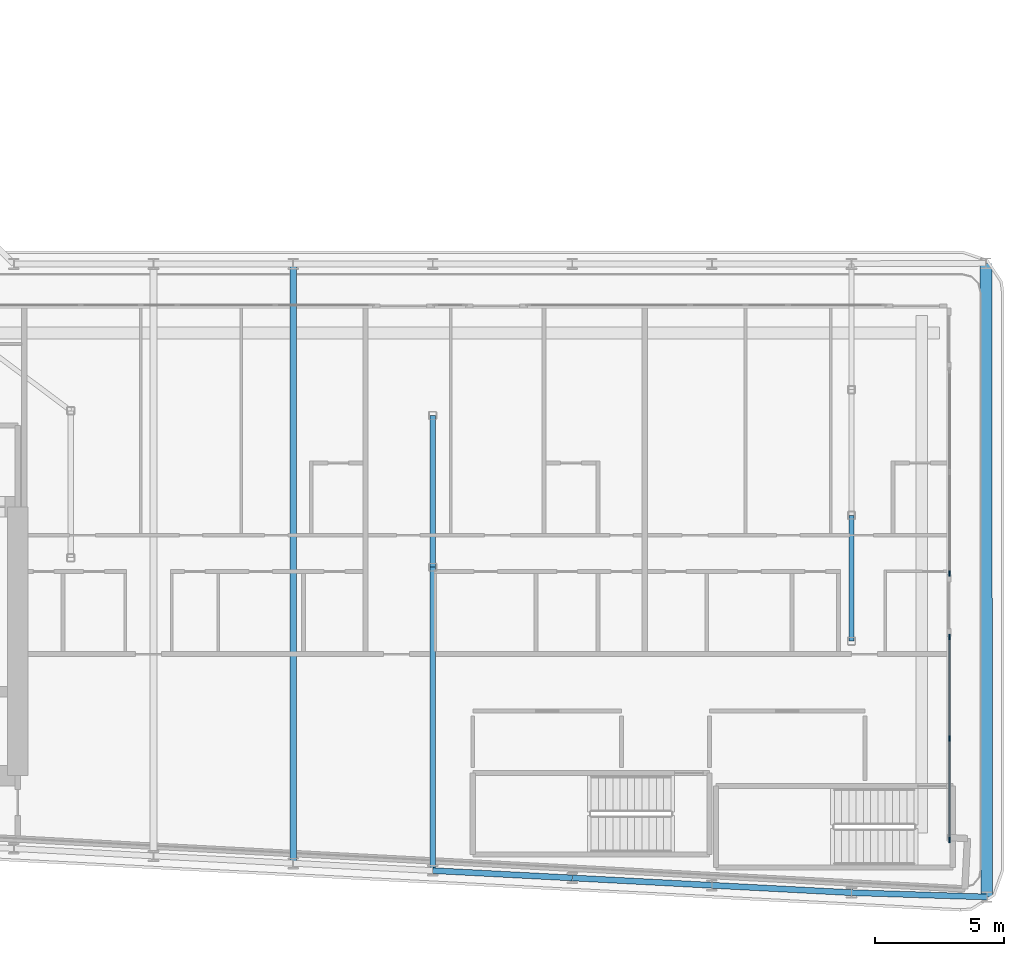
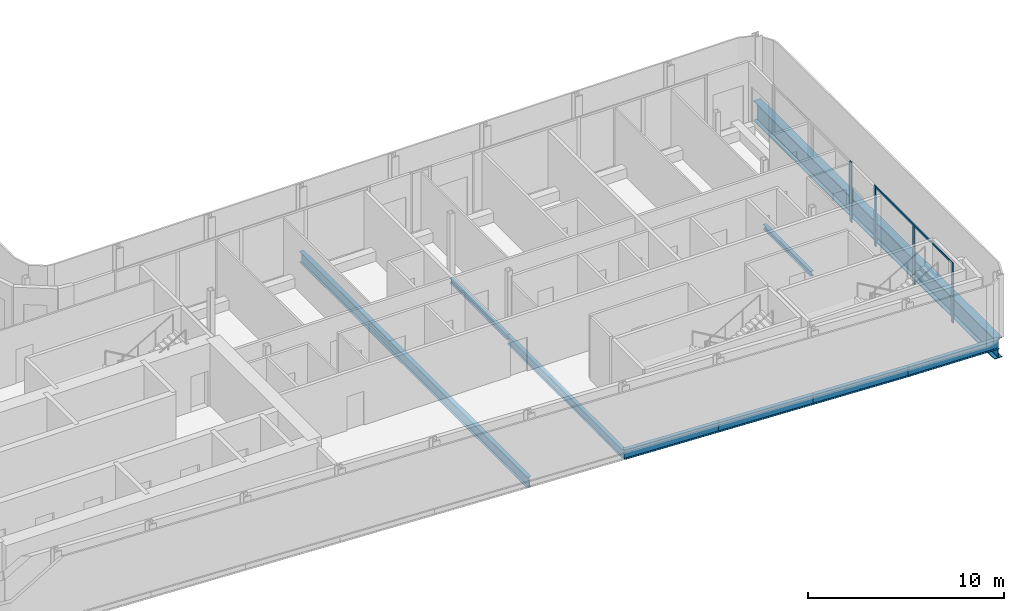
# One storey, part 5 of 24: 9 beams, 5 members, 2 elements without a shape of their own.
"""IFC4 building model written with IfcOpenShell, lengths in metres."""

from ifc_helpers import new_model, si_unit, direction, frame, origin, origin_2d, place, context, subcontext, project, spatial, rectangle, i_section, extrude, material, layer, layer_set, material_profile, profile_set, type_object, element, aggregate, save


model = new_model("IFC4")

# Units and contexts
model_context = context("Model", 3, precision=1e-05, world=origin(), true_north=direction((0.0, 1.0)))
body_context = subcontext(model_context, "Body", "Model", "MODEL_VIEW")
ifc_project = project(units=[si_unit("LENGTHUNIT", "METRE"), si_unit("AREAUNIT", "SQUARE_METRE"), si_unit("VOLUMEUNIT", "CUBIC_METRE"), si_unit("PLANEANGLEUNIT", "RADIAN"), si_unit("MASSUNIT", "GRAM", prefix="KILO")], contexts=[model_context])

# Site, building, storey
site_placement = place(None, origin())
site = spatial("IfcSite", under=ifc_project, at=site_placement, CompositionType="ELEMENT")
building_placement = place(site_placement, origin())
building = spatial("IfcBuilding", under=site, at=building_placement, Name="Kheshtan School and Residences Tower", CompositionType="ELEMENT")
storey_placement = place(building_placement, frame((0.0, 0.0, 160.39990234375)))
storey = spatial("IfcBuildingStorey", under=building, at=storey_placement, Name="L37", CompositionType="ELEMENT", Elevation=160.39990234375)

# Beams
ifc_material_1 = material(Name="Steel ASTM A992 Grade 50", Category="steel")
ifc_material_profile_1 = material_profile(ifc_material_1, i_section(OverallWidth=0.202880859375, OverallDepth=0.302978515625, WebThickness=0.007568359375, FlangeThickness=0.01318359375, FilletRadius=0.009033203125, at=origin_2d()), Name="W310x60")
ifc_profile_set_1 = profile_set([ifc_material_profile_1], Name="Steel ASTM A992 Grade 50")
beam_type_1 = type_object("IfcBeamType", Name="Beam FB1 W310x60 ASTM A992 Grade 50", PredefinedType="BEAM", material=ifc_profile_set_1)
beam_1_placement = place(storey_placement, frame((85.39990234375, 31.0048828125, -0.301513671875), z_axis=(0.0, 1.0, 0.0), x_axis=(-1.0, 0.0, 0.0)))
element("IfcBeam", 1, at=beam_1_placement, inside=storey, type_object=beam_type_1, Name="Floor beam IC", PredefinedType="BEAM", context=body_context, shape_type="SweptSolid", body=[
    extrude(i_section(OverallWidth=0.202880859375, OverallDepth=0.302978515625, WebThickness=0.007568359375, FlangeThickness=0.01318359375, FilletRadius=0.009033203125, at=origin_2d()), origin(), (0.0, 0.0, 1.0), 4.865234375),
])
beam_2_placement = place(storey_placement, frame((69.199951171875, 33.863037109375, -0.301513671875), z_axis=(0.0, 1.0, 0.0), x_axis=(-1.0, 0.0, 0.0)))
element("IfcBeam", 2, at=beam_2_placement, inside=storey, type_object=beam_type_1, Name="Floor beam IC", PredefinedType="BEAM", context=body_context, shape_type="SweptSolid", body=[
    extrude(i_section(OverallWidth=0.202880859375, OverallDepth=0.302978515625, WebThickness=0.007568359375, FlangeThickness=0.01318359375, FilletRadius=0.009033203125, at=origin_2d()), origin(), (0.0, 0.0, 1.0), 5.868896484375),
])
ifc_material_profile_2 = material_profile(ifc_material_1, i_section(OverallWidth=0.208984375, OverallDepth=0.532958984375, WebThickness=0.01025390625, FlangeThickness=0.015625, FilletRadius=0.013916015625, at=origin_2d()), Name="W530x92")
ifc_profile_set_2 = profile_set([ifc_material_profile_2], Name="Steel ASTM A992 Grade 50")
beam_type_2 = type_object("IfcBeamType", Name="Beam FB4 W530x92 ASTM A992 Grade 50", PredefinedType="BEAM", material=ifc_profile_set_2)
beam_3_placement = place(storey_placement, frame((69.199951171875, 22.126953125, -0.41650390625), z_axis=(0.0, 1.0, 0.0), x_axis=(-1.0, 0.0, 0.0)))
element("IfcBeam", 3, at=beam_3_placement, inside=storey, type_object=beam_type_2, Name="Floor beam C014", PredefinedType="BEAM", context=body_context, shape_type="SweptSolid", body=[
    extrude(i_section(OverallWidth=0.208984375, OverallDepth=0.532958984375, WebThickness=0.01025390625, FlangeThickness=0.015625, FilletRadius=0.013916015625, at=origin_2d()), origin(), (0.0, 0.0, 1.0), 11.736083984375),
])
ifc_material_profile_3 = material_profile(ifc_material_1, i_section(OverallWidth=0.2529296875, OverallDepth=0.677978515625, WebThickness=0.01171875, FlangeThickness=0.016357421875, FilletRadius=0.0146484375, at=origin_2d()), Name="W690x125")
ifc_profile_set_3 = profile_set([ifc_material_profile_3], Name="Steel ASTM A992 Grade 50")
beam_type_3 = type_object("IfcBeamType", Name="Beam FB6 W690x125 ASTM A992 Grade 50", PredefinedType="BEAM", material=ifc_profile_set_3)
beam_4_placement = place(storey_placement, frame((63.800048828125, 45.60009765625, -0.489013671875), z_axis=(0.0, -1.0, 0.0), x_axis=(1.0, 0.0, 0.0)))
element("IfcBeam", 4, at=beam_4_placement, inside=storey, type_object=beam_type_3, Name="Floor beam C063", PredefinedType="BEAM", context=body_context, shape_type="SweptSolid", body=[
    extrude(i_section(OverallWidth=0.2529296875, OverallDepth=0.677978515625, WebThickness=0.01171875, FlangeThickness=0.016357421875, FilletRadius=0.0146484375, at=origin_2d()), origin(), (0.0, 0.0, 1.0), 23.189208984375),
])
ifc_material_profile_4 = material_profile(ifc_material_1, i_section(OverallWidth=0.22802734375, OverallDepth=0.60302734375, WebThickness=0.010498046875, FlangeThickness=0.014892578125, FilletRadius=0.013427734375, at=origin_2d()), Name="W610x101")
ifc_profile_set_4 = profile_set([ifc_material_profile_4], Name="Steel ASTM A992 Grade 50")
beam_type_4 = type_object("IfcBeamType", Name="Beam SP2 W610x101 ASTM A992 Grade 50", PredefinedType="BEAM", material=ifc_profile_set_4)
beam_5_placement = place(storey_placement, frame((90.637939453125, 21.10693359375, -0.451416015625), z_axis=(-0.999492198162, 0.031864491426, 0.0), x_axis=(-0.031864491426, -0.999492198162, 0.0)))
element("IfcBeam", 5, at=beam_5_placement, inside=storey, type_object=beam_type_4, Name="Spandrel beam C007-C008", PredefinedType="BEAM", context=body_context, shape_type="SweptSolid", body=[
    extrude(i_section(OverallWidth=0.22802734375, OverallDepth=0.60302734375, WebThickness=0.010498046875, FlangeThickness=0.014892578125, FilletRadius=0.013427734375, at=origin_2d()), origin(), (0.0, 0.0, 1.0), 5.24072265625),
])
for number, where, z_axis, x_axis, name in (
    (6, (85.39990234375, 21.27392578125, -0.451416015625), (-0.998618078766, 0.052554093665, 0.0), (-0.052554093665, -0.998618078766, 0.0), "Spandrel beam C008-C012"),
    (7, (80.0, 21.55810546875, -0.451416015625), (-0.998610961136, 0.052689166816, 0.0), (-0.052689166816, -0.998610961136, 0.0), "Spandrel beam C012-C013"),
):
    element("IfcBeam", number, at=place(storey_placement, frame(where, z_axis=z_axis, x_axis=x_axis)), inside=storey, type_object=beam_type_4, Name=name, PredefinedType="BEAM", context=body_context, shape_type="SweptSolid", body=[
        extrude(i_section(OverallWidth=0.22802734375, OverallDepth=0.60302734375, WebThickness=0.010498046875, FlangeThickness=0.014892578125, FilletRadius=0.013427734375, at=origin_2d()), origin(), (0.0, 0.0, 1.0), 5.407470703125),
    ])
beam_6_placement = place(storey_placement, frame((74.60009765625, 21.843017578125, -0.451416015625), z_axis=(-0.998620571751, 0.05250670125, 0.0), x_axis=(-0.05250670125, -0.998620571751, 0.0)))
element("IfcBeam", 8, at=beam_6_placement, inside=storey, type_object=beam_type_4, Name="Spandrel beam C013-C014", PredefinedType="BEAM", context=body_context, shape_type="SweptSolid", body=[
    extrude(i_section(OverallWidth=0.22802734375, OverallDepth=0.60302734375, WebThickness=0.010498046875, FlangeThickness=0.014892578125, FilletRadius=0.013427734375, at=origin_2d()), origin(), (0.0, 0.0, 1.0), 5.40771484375),
])

# Curtain wall, member
ifc_material_2 = material(Name="Clear low-e glass in thermally broken aluminium frame", Category="aluminium")
ifc_layer = layer(ifc_material_2, 0.199951171875)
ifc_layer_set = layer_set([ifc_layer], Name="Curtain wall CW-L")
curtain_wall_type = type_object("IfcCurtainWallType", Name="Curtain wall CW-L", PredefinedType="NOTDEFINED", material=ifc_layer_set)
curtain_wall_1_placement = place(storey_placement, origin())
curtain_wall_1 = element("IfcCurtainWall", 9, at=curtain_wall_1_placement, inside=storey, type_object=curtain_wall_type, Name="Curtain wall CWL13", PredefinedType="NOTDEFINED")
ifc_material_3 = material(Name="Thermally broken aluminium, dark bronze anodised", Category="aluminium")
ifc_material_profile_5 = material_profile(ifc_material_3, rectangle(XDim=0.06005859375, YDim=0.199951171875, at=origin_2d()), Name="CW-L mullion 60x200")
ifc_profile_set_5 = profile_set([ifc_material_profile_5], Name="Thermally broken aluminium, dark bronze anodised")
member_type_1 = type_object("IfcMemberType", Name="CW-L mullion 60x200", PredefinedType="MULLION", material=ifc_profile_set_5)
member_1_placement = place(storey_placement, frame((89.199951171875, 33.62158203125, 0.0), z_axis=(0.0, 0.0, 1.0), x_axis=(1.0, 0.0, 0.0)))
member_1 = element("IfcMember", 10, at=member_1_placement, type_object=member_type_1, Name="CWL13 mullion 3", PredefinedType="MULLION", context=body_context, shape_type="SweptSolid", body=[
    extrude(rectangle(XDim=0.06005859375, YDim=0.199951171875, at=origin_2d()), origin(), (0.0, 0.0, 1.0), 3.75),
])
aggregate(curtain_wall_1, [member_1])

# Curtain wall, members
curtain_wall_2_placement = place(storey_placement, origin())
curtain_wall_2 = element("IfcCurtainWall", 11, at=curtain_wall_2_placement, inside=storey, type_object=curtain_wall_type, Name="Curtain wall CWL13", PredefinedType="NOTDEFINED")
member_2_placement = place(storey_placement, frame((89.199951171875, 31.16162109375, 0.0), z_axis=(0.0, 0.0, 1.0), x_axis=(1.0, 0.0, 0.0)))
member_2 = element("IfcMember", 12, at=member_2_placement, type_object=member_type_1, Name="CWL13 mullion 1", PredefinedType="MULLION", context=body_context, shape_type="SweptSolid", body=[
    extrude(rectangle(XDim=0.06005859375, YDim=0.199951171875, at=origin_2d()), origin(), (0.0, 0.0, 1.0), 3.75),
])
member_3_placement = place(storey_placement, frame((89.199951171875, 27.2373046875, 0.0), z_axis=(0.0, 0.0, 1.0), x_axis=(1.0, 0.0, 0.0)))
member_3 = element("IfcMember", 13, at=member_3_placement, type_object=member_type_1, Name="CWL13 mullion 2", PredefinedType="MULLION", context=body_context, shape_type="SweptSolid", body=[
    extrude(rectangle(XDim=0.06005859375, YDim=0.199951171875, at=origin_2d()), origin(), (0.0, 0.0, 1.0), 3.630126953125),
])
member_4_placement = place(storey_placement, frame((89.199951171875, 23.31298828125, 0.0), z_axis=(0.0, 0.0, 1.0), x_axis=(1.0, 0.0, 0.0)))
member_4 = element("IfcMember", 14, at=member_4_placement, type_object=member_type_1, Name="CWL13 mullion 3", PredefinedType="MULLION", context=body_context, shape_type="SweptSolid", body=[
    extrude(rectangle(XDim=0.06005859375, YDim=0.199951171875, at=origin_2d()), origin(), (0.0, 0.0, 1.0), 3.75),
])
ifc_material_profile_6 = material_profile(ifc_material_3, rectangle(XDim=0.06005859375, YDim=0.1201171875, at=origin_2d()), Name="CW-L transom 60x120")
ifc_profile_set_6 = profile_set([ifc_material_profile_6], Name="Thermally broken aluminium, dark bronze anodised")
member_type_2 = type_object("IfcMemberType", Name="CW-L transom 60x120", PredefinedType="USERDEFINED", material=ifc_profile_set_6)
member_5_placement = place(storey_placement, frame((89.199951171875, 31.131591796875, 3.690185546875), z_axis=(0.0, -1.0, 0.0), x_axis=(1.0, 0.0, 0.0)))
member_5 = element("IfcMember", 15, at=member_5_placement, type_object=member_type_2, Name="CWL13 transom 1", ObjectType="TRANSOM", PredefinedType="USERDEFINED", context=body_context, shape_type="SweptSolid", body=[
    extrude(rectangle(XDim=0.06005859375, YDim=0.1201171875, at=origin_2d()), origin(), (0.0, 0.0, 1.0), 7.78857421875),
])
aggregate(curtain_wall_2, [member_2, member_3, member_4, member_5])

# Beam
ifc_material_profile_7 = material_profile(ifc_material_1, i_section(OverallWidth=0.449951171875, OverallDepth=1.25, WebThickness=0.02490234375, FlangeThickness=0.044921875, FilletRadius=0.03759765625, at=origin_2d()), Name="WWF1250x546")
ifc_profile_set_7 = profile_set([ifc_material_profile_7], Name="Steel ASTM A992 Grade 50")
beam_type_5 = type_object("IfcBeamType", Name="Transfer girder TG4 WWF1250x546 ASTM A992 Grade 50", PredefinedType="BEAM", material=ifc_profile_set_7)
beam_7_placement = place(storey_placement, frame((90.60107421875, 45.62109375, -0.77490234375), z_axis=(0.001503832579, -0.999998869243, 0.0), x_axis=(0.999998869243, 0.001503832579, 0.0)))
element("IfcBeam", 16, at=beam_7_placement, inside=storey, type_object=beam_type_5, Name="Transfer girder C075-C007", PredefinedType="BEAM", context=body_context, shape_type="SweptSolid", body=[
    extrude(i_section(OverallWidth=0.449951171875, OverallDepth=1.25, WebThickness=0.02490234375, FlangeThickness=0.044921875, FilletRadius=0.03759765625, at=origin_2d()), origin(), (0.0, 0.0, 1.0), 24.51416015625),
])

save(model, "model.ifc")
